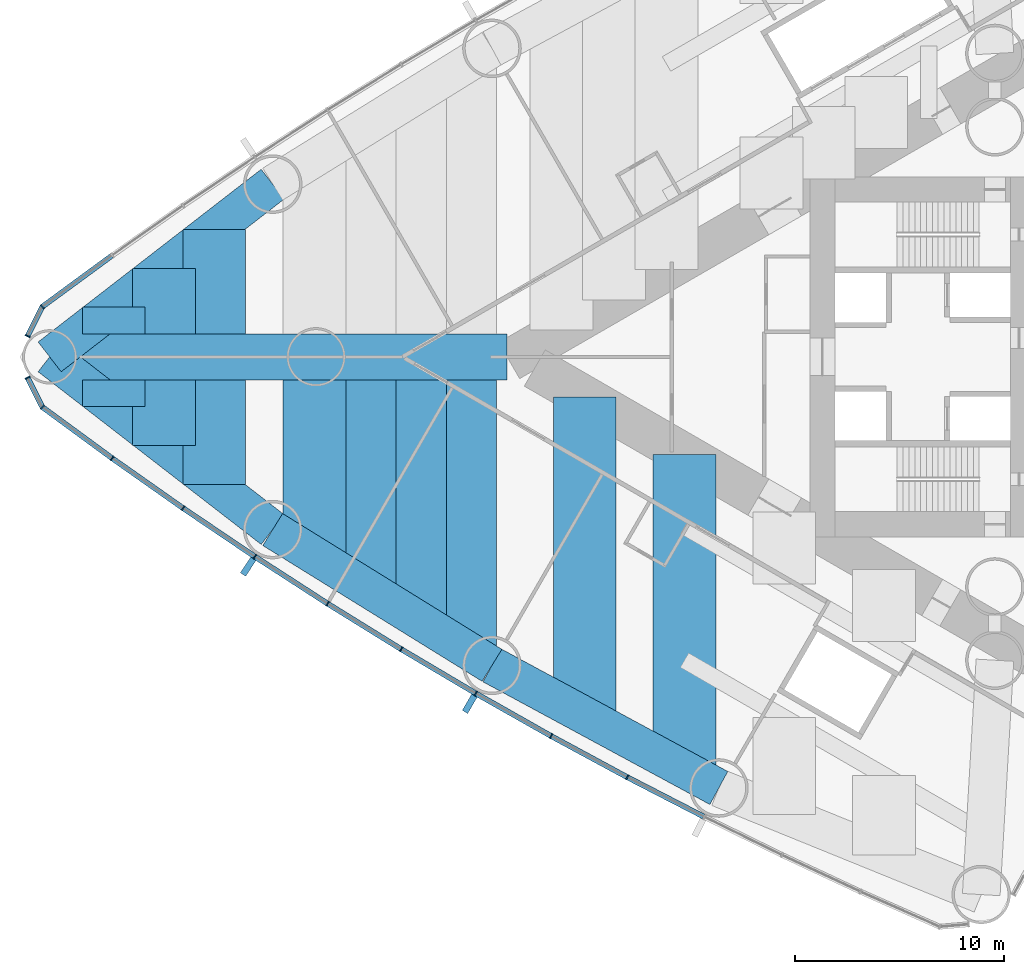
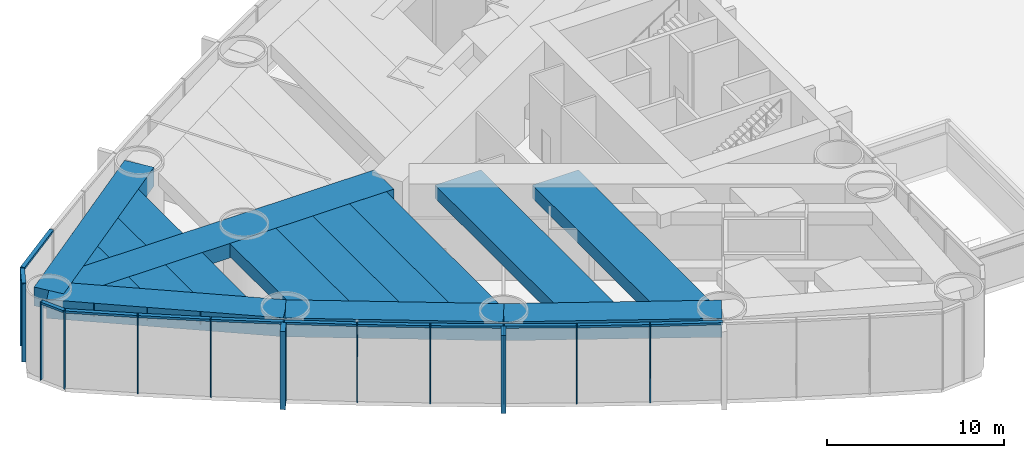
# One storey, part 6 of 23: 26 members, 17 beams, 2 elements without a shape of their own.
"""IFC4 building model written with IfcOpenShell, lengths in metres."""

from ifc_helpers import new_model, si_unit, direction, frame, origin, origin_2d, place, context, subcontext, project, spatial, rectangle, extrude, material, material_profile, profile_set, type_object, element, aggregate, save


model = new_model("IFC4")

# Units and contexts
model_context = context("Model", 3, precision=1e-05, world=origin(), true_north=direction((0.0, 1.0)))
body_context = subcontext(model_context, "Body", "Model", "MODEL_VIEW")
ifc_project = project(units=[si_unit("LENGTHUNIT", "METRE"), si_unit("AREAUNIT", "SQUARE_METRE"), si_unit("VOLUMEUNIT", "CUBIC_METRE"), si_unit("PLANEANGLEUNIT", "RADIAN"), si_unit("MASSUNIT", "GRAM", prefix="KILO")], contexts=[model_context])

# Site, building, storey
site_placement = place(None, origin())
site = spatial("IfcSite", under=ifc_project, at=site_placement, CompositionType="ELEMENT")
building_placement = place(site_placement, origin())
building = spatial("IfcBuilding", under=site, at=building_placement, Name="Lancet Gate Hotel", CompositionType="ELEMENT")
storey_placement = place(building_placement, frame((0.0, 0.0, 12.60009765625)))
storey = spatial("IfcBuildingStorey", under=building, at=storey_placement, Name="L02", CompositionType="ELEMENT", Elevation=12.60009765625)

# Curtain wall, members
ifc_material_1 = material(Name="Aluminium curtain wall", Category="aluminium")
curtain_wall_type = type_object("IfcCurtainWallType", Name="Podium curtain wall", PredefinedType="USERDEFINED", material=ifc_material_1)
curtain_wall_1_placement = place(storey_placement, origin())
curtain_wall_1 = element("IfcCurtainWall", 1, at=curtain_wall_1_placement, inside=storey, type_object=curtain_wall_type, Name="T1 L02 curtain wall 2", ObjectType="UNITISED CURTAIN WALL", PredefinedType="USERDEFINED")
ifc_material_2 = material(Name="Aluminium mullion", Category="aluminium")
ifc_material_profile_1 = material_profile(ifc_material_2, rectangle(XDim=0.06494140625, YDim=0.25, at=origin_2d()), Name="MULLION 65x250")
ifc_profile_set_1 = profile_set([ifc_material_profile_1], Name="Aluminium mullion")
member_type_1 = type_object("IfcMemberType", Name="Aluminium mullion 65x250", PredefinedType="MULLION", material=ifc_profile_set_1)
member_1_placement = place(storey_placement, frame((-74.5830078125, 2.401611328125, 0.0), z_axis=(0.0, 0.0, 1.0), x_axis=(-0.723695580132, -0.690119342793, 0.0)))
member_1 = element("IfcMember", 2, at=member_1_placement, type_object=member_type_1, Name="T1 L02 curtain wall 2 mullion 14", PredefinedType="MULLION", context=body_context, shape_type="SweptSolid", body=[
    extrude(rectangle(XDim=0.06494140625, YDim=0.25, at=origin_2d()), origin(), (0.0, 0.0, 1.0), 5.39990234375),
])
member_2_placement = place(storey_placement, frame((-75.287109375, 0.994873046875, 0.0), z_axis=(0.0, 0.0, 1.0), x_axis=(-0.447628324726, -0.89421970617, 0.0)))
member_2 = element("IfcMember", 3, at=member_2_placement, type_object=member_type_1, Name="T1 L02 curtain wall 2 mullion 15", PredefinedType="MULLION", context=body_context, shape_type="SweptSolid", body=[
    extrude(rectangle(XDim=0.06494140625, YDim=0.25, at=origin_2d()), origin(), (0.0, 0.0, 1.0), 5.39990234375),
])

curtain_wall_2_placement = place(storey_placement, origin())
curtain_wall_2 = element("IfcCurtainWall", 4, at=curtain_wall_2_placement, inside=storey, type_object=curtain_wall_type, Name="T1 L02 curtain wall 3", ObjectType="UNITISED CURTAIN WALL", PredefinedType="USERDEFINED")
member_3_placement = place(storey_placement, frame((-75.287109375, -0.994873046875, 0.0), z_axis=(0.0, 0.0, 1.0), x_axis=(0.447628324726, -0.89421970617, 0.0)))
member_3 = element("IfcMember", 5, at=member_3_placement, type_object=member_type_1, Name="T1 L02 curtain wall 3 mullion 1", PredefinedType="MULLION", context=body_context, shape_type="SweptSolid", body=[
    extrude(rectangle(XDim=0.06494140625, YDim=0.25, at=origin_2d()), origin(), (0.0, 0.0, 1.0), 5.39990234375),
])
member_4_placement = place(storey_placement, frame((-74.5830078125, -2.401611328125, 0.0), z_axis=(0.0, 0.0, 1.0), x_axis=(0.723695580132, -0.690119342793, 0.0)))
member_4 = element("IfcMember", 6, at=member_4_placement, type_object=member_type_1, Name="T1 L02 curtain wall 3 mullion 2", PredefinedType="MULLION", context=body_context, shape_type="SweptSolid", body=[
    extrude(rectangle(XDim=0.06494140625, YDim=0.25, at=origin_2d()), origin(), (0.0, 0.0, 1.0), 5.39990234375),
])
member_5_placement = place(storey_placement, frame((-71.244384765625, -4.85009765625, 0.0), z_axis=(0.0, 0.0, 1.0), x_axis=(0.812146623168, -0.583453393578, 0.0)))
member_5 = element("IfcMember", 7, at=member_5_placement, type_object=member_type_1, Name="T1 L02 curtain wall 3 mullion 3", PredefinedType="MULLION", context=body_context, shape_type="SweptSolid", body=[
    extrude(rectangle(XDim=0.06494140625, YDim=0.25, at=origin_2d()), origin(), (0.0, 0.0, 1.0), 5.39990234375),
])
member_6_placement = place(storey_placement, frame((-67.858154296875, -7.232666015625, 0.0), z_axis=(0.0, 0.0, 1.0), x_axis=(0.823425148573, -0.56742490666, 0.0)))
member_6 = element("IfcMember", 8, at=member_6_placement, type_object=member_type_1, Name="T1 L02 curtain wall 3 mullion 4", PredefinedType="MULLION", context=body_context, shape_type="SweptSolid", body=[
    extrude(rectangle(XDim=0.06494140625, YDim=0.25, at=origin_2d()), origin(), (0.0, 0.0, 1.0), 5.39990234375),
])
member_7_placement = place(storey_placement, frame((-64.42626953125, -9.548583984375, 0.0), z_axis=(0.0, 0.0, 1.0), x_axis=(0.834387381945, -0.55117846189, 0.0)))
member_7 = element("IfcMember", 9, at=member_7_placement, type_object=member_type_1, Name="T1 L02 curtain wall 3 mullion 5", PredefinedType="MULLION", context=body_context, shape_type="SweptSolid", body=[
    extrude(rectangle(XDim=0.06494140625, YDim=0.25, at=origin_2d()), origin(), (0.0, 0.0, 1.0), 5.39990234375),
])
member_8_placement = place(storey_placement, frame((-60.949462890625, -11.796630859375, 0.0), z_axis=(0.0, 0.0, 1.0), x_axis=(0.845029112489, -0.534720299827, 0.0)))
member_8 = element("IfcMember", 10, at=member_8_placement, type_object=member_type_1, Name="T1 L02 curtain wall 3 mullion 6", PredefinedType="MULLION", context=body_context, shape_type="SweptSolid", body=[
    extrude(rectangle(XDim=0.06494140625, YDim=0.25, at=origin_2d()), origin(), (0.0, 0.0, 1.0), 5.39990234375),
])
member_9_placement = place(storey_placement, frame((-57.42919921875, -13.97607421875, 0.0), z_axis=(0.0, 0.0, 1.0), x_axis=(0.855346252548, -0.518056742309, 0.0)))
member_9 = element("IfcMember", 11, at=member_9_placement, type_object=member_type_1, Name="T1 L02 curtain wall 3 mullion 7", PredefinedType="MULLION", context=body_context, shape_type="SweptSolid", body=[
    extrude(rectangle(XDim=0.06494140625, YDim=0.25, at=origin_2d()), origin(), (0.0, 0.0, 1.0), 5.39990234375),
])
member_10_placement = place(storey_placement, frame((-53.866943359375, -16.086181640625, 0.0), z_axis=(0.0, 0.0, 1.0), x_axis=(0.86533483912, -0.501194190115, 0.0)))
member_10 = element("IfcMember", 12, at=member_10_placement, type_object=member_type_1, Name="T1 L02 curtain wall 3 mullion 8", PredefinedType="MULLION", context=body_context, shape_type="SweptSolid", body=[
    extrude(rectangle(XDim=0.06494140625, YDim=0.25, at=origin_2d()), origin(), (0.0, 0.0, 1.0), 5.39990234375),
])
member_11_placement = place(storey_placement, frame((-50.26416015625, -18.1259765625, 0.0), z_axis=(0.0, 0.0, 1.0), x_axis=(0.874991035403, -0.484139120464, 0.0)))
member_11 = element("IfcMember", 13, at=member_11_placement, type_object=member_type_1, Name="T1 L02 curtain wall 3 mullion 9", PredefinedType="MULLION", context=body_context, shape_type="SweptSolid", body=[
    extrude(rectangle(XDim=0.06494140625, YDim=0.25, at=origin_2d()), origin(), (0.0, 0.0, 1.0), 5.39990234375),
])
member_12_placement = place(storey_placement, frame((-46.6220703125, -20.094970703125, 0.0), z_axis=(0.0, 0.0, 1.0), x_axis=(0.884311132302, -0.466898084475, 0.0)))
member_12 = element("IfcMember", 14, at=member_12_placement, type_object=member_type_1, Name="T1 L02 curtain wall 3 mullion 10", PredefinedType="MULLION", context=body_context, shape_type="SweptSolid", body=[
    extrude(rectangle(XDim=0.06494140625, YDim=0.25, at=origin_2d()), origin(), (0.0, 0.0, 1.0), 5.39990234375),
])

# Member
ifc_material_3 = material(Name="Aluminium transom", Category="aluminium")
ifc_material_profile_2 = material_profile(ifc_material_3, rectangle(XDim=0.25, YDim=0.14990234375, at=origin_2d()), Name="TRANSOM 250x150")
ifc_profile_set_2 = profile_set([ifc_material_profile_2], Name="Aluminium transom")
member_type_2 = type_object("IfcMemberType", Name="Aluminium transom 250x150", PredefinedType="USERDEFINED", material=ifc_profile_set_2)
member_13_placement = place(storey_placement, frame((-71.2705078125, 4.8310546875, 5.324951171875), z_axis=(-0.806366902144, -0.59141560609, 0.0), x_axis=(0.59141560609, -0.806366902144, 0.0)))
member_13 = element("IfcMember", 15, at=member_13_placement, type_object=member_type_2, Name="T1 L02 curtain wall 2 transom 13", ObjectType="TRANSOM", PredefinedType="USERDEFINED", context=body_context, shape_type="SweptSolid", body=[
    extrude(rectangle(XDim=0.25, YDim=0.14990234375, at=origin_2d()), origin(), (0.0, 0.0, 1.0), 4.0751953125),
])

member_14_placement = place(storey_placement, frame((-74.597412109375, 2.37255859375, 5.324951171875), z_axis=(-0.447731503446, -0.894168049542, 0.0), x_axis=(0.894168049542, -0.447731503446, 0.0)))
member_14 = element("IfcMember", 16, at=member_14_placement, type_object=member_type_2, Name="T1 L02 curtain wall 2 transom 14", ObjectType="TRANSOM", PredefinedType="USERDEFINED", context=body_context, shape_type="SweptSolid", body=[
    extrude(rectangle(XDim=0.25, YDim=0.14990234375, at=origin_2d()), origin(), (0.0, 0.0, 1.0), 1.50830078125),
])

aggregate(curtain_wall_1, [member_1, member_2, member_13, member_14])

member_15_placement = place(storey_placement, frame((-75.272705078125, -1.02392578125, 5.324951171875), z_axis=(0.447731503446, -0.894168049542, 0.0), x_axis=(0.894168049542, 0.447731503446, 0.0)))
member_15 = element("IfcMember", 17, at=member_15_placement, type_object=member_type_2, Name="T1 L02 curtain wall 3 transom 1", ObjectType="TRANSOM", PredefinedType="USERDEFINED", context=body_context, shape_type="SweptSolid", body=[
    extrude(rectangle(XDim=0.25, YDim=0.14990234375, at=origin_2d()), origin(), (0.0, 0.0, 1.0), 1.50830078125),
])

member_16_placement = place(storey_placement, frame((-74.556640625, -2.4208984375, 5.324951171875), z_axis=(0.806366902144, -0.59141560609, 0.0), x_axis=(0.59141560609, 0.806366902144, 0.0)))
member_16 = element("IfcMember", 18, at=member_16_placement, type_object=member_type_2, Name="T1 L02 curtain wall 3 transom 2", ObjectType="TRANSOM", PredefinedType="USERDEFINED", context=body_context, shape_type="SweptSolid", body=[
    extrude(rectangle(XDim=0.25, YDim=0.14990234375, at=origin_2d()), origin(), (0.0, 0.0, 1.0), 4.0751953125),
])

member_17_placement = place(storey_placement, frame((-71.2177734375, -4.868896484375, 5.324951171875), z_axis=(0.817833568345, -0.57545482402, 0.0), x_axis=(0.57545482402, 0.817833568345, 0.0)))
member_17 = element("IfcMember", 19, at=member_17_placement, type_object=member_type_2, Name="T1 L02 curtain wall 3 transom 3", ObjectType="TRANSOM", PredefinedType="USERDEFINED", context=body_context, shape_type="SweptSolid", body=[
    extrude(rectangle(XDim=0.25, YDim=0.14990234375, at=origin_2d()), origin(), (0.0, 0.0, 1.0), 4.075439453125),
])

member_18_placement = place(storey_placement, frame((-67.831298828125, -7.2509765625, 5.324951171875), z_axis=(0.828959086782, -0.559309245804, 0.0), x_axis=(0.559309245804, 0.828959086782, 0.0)))
member_18 = element("IfcMember", 20, at=member_18_placement, type_object=member_type_2, Name="T1 L02 curtain wall 3 transom 4", ObjectType="TRANSOM", PredefinedType="USERDEFINED", context=body_context, shape_type="SweptSolid", body=[
    extrude(rectangle(XDim=0.25, YDim=0.14990234375, at=origin_2d()), origin(), (0.0, 0.0, 1.0), 4.0751953125),
])

member_19_placement = place(storey_placement, frame((-64.39892578125, -9.566162109375, 5.324951171875), z_axis=(0.839729242404, -0.543005340169, 0.0), x_axis=(0.543005340169, 0.839729242404, 0.0)))
member_19 = element("IfcMember", 21, at=member_19_placement, type_object=member_type_2, Name="T1 L02 curtain wall 3 transom 5", ObjectType="TRANSOM", PredefinedType="USERDEFINED", context=body_context, shape_type="SweptSolid", body=[
    extrude(rectangle(XDim=0.25, YDim=0.14990234375, at=origin_2d()), origin(), (0.0, 0.0, 1.0), 4.0751953125),
])

member_20_placement = place(storey_placement, frame((-60.921875, -11.813720703125, 5.324951171875), z_axis=(0.850242165643, -0.526391736032, 0.0), x_axis=(0.526391736032, 0.850242165643, 0.0)))
member_20 = element("IfcMember", 22, at=member_20_placement, type_object=member_type_2, Name="T1 L02 curtain wall 3 transom 6", ObjectType="TRANSOM", PredefinedType="USERDEFINED", context=body_context, shape_type="SweptSolid", body=[
    extrude(rectangle(XDim=0.25, YDim=0.14990234375, at=origin_2d()), origin(), (0.0, 0.0, 1.0), 4.075439453125),
])

member_21_placement = place(storey_placement, frame((-57.4013671875, -13.99267578125, 5.324951171875), z_axis=(0.86039174806, -0.509633240547, 0.0), x_axis=(0.509633240547, 0.86039174806, 0.0)))
member_21 = element("IfcMember", 23, at=member_21_placement, type_object=member_type_2, Name="T1 L02 curtain wall 3 transom 7", ObjectType="TRANSOM", PredefinedType="USERDEFINED", context=body_context, shape_type="SweptSolid", body=[
    extrude(rectangle(XDim=0.25, YDim=0.14990234375, at=origin_2d()), origin(), (0.0, 0.0, 1.0), 4.0751953125),
])

member_22_placement = place(storey_placement, frame((-53.838623046875, -16.102294921875, 5.324951171875), z_axis=(0.870197729943, -0.492702659625, 0.0), x_axis=(0.492702659625, 0.870197729943, 0.0)))
member_22 = element("IfcMember", 24, at=member_22_placement, type_object=member_type_2, Name="T1 L02 curtain wall 3 transom 8", ObjectType="TRANSOM", PredefinedType="USERDEFINED", context=body_context, shape_type="SweptSolid", body=[
    extrude(rectangle(XDim=0.25, YDim=0.14990234375, at=origin_2d()), origin(), (0.0, 0.0, 1.0), 4.0751953125),
])

member_23_placement = place(storey_placement, frame((-50.235595703125, -18.1416015625, 5.324951171875), z_axis=(0.87971396408, -0.475503250675, 0.0), x_axis=(0.475503250675, 0.87971396408, 0.0)))
member_23 = element("IfcMember", 25, at=member_23_placement, type_object=member_type_2, Name="T1 L02 curtain wall 3 transom 9", ObjectType="TRANSOM", PredefinedType="USERDEFINED", context=body_context, shape_type="SweptSolid", body=[
    extrude(rectangle(XDim=0.25, YDim=0.14990234375, at=origin_2d()), origin(), (0.0, 0.0, 1.0), 4.0751953125),
])

member_24_placement = place(storey_placement, frame((-46.593017578125, -20.10986328125, 5.324951171875), z_axis=(0.888859972399, -0.458178949175, 0.0), x_axis=(0.458178949175, 0.888859972399, 0.0)))
member_24 = element("IfcMember", 26, at=member_24_placement, type_object=member_type_2, Name="T1 L02 curtain wall 3 transom 10", ObjectType="TRANSOM", PredefinedType="USERDEFINED", context=body_context, shape_type="SweptSolid", body=[
    extrude(rectangle(XDim=0.25, YDim=0.14990234375, at=origin_2d()), origin(), (0.0, 0.0, 1.0), 4.0751953125),
])

# Beams
ifc_material_4 = material(Name="Concrete C50/60", Category="concrete")
ifc_material_profile_3 = material_profile(ifc_material_4, rectangle(XDim=1.800048828125, YDim=1.300048828125, at=origin_2d()), Name="RC 1800x1300")
ifc_profile_set_3 = profile_set([ifc_material_profile_3], Name="Concrete C50/60")
beam_type_1 = type_object("IfcBeamType", Name="Edge beam RC 1800x1300", PredefinedType="SPANDREL", material=ifc_profile_set_3)
for number, where, z_axis, x_axis, name in (
    (27, (-63.57177734375, 8.255126953125, 4.5), (-0.790736428665, -0.612156761281, 0.0), (0.612156761281, -0.790736428665, 0.0), "T1 edge beam EB1 L02"),
    (28, (-74.235107421875, 0.0, 4.5), (0.790736428665, -0.612156761281, 0.0), (0.612156761281, 0.790736428665, 0.0), "T1 edge beam EB1 L02"),
):
    element("IfcBeam", number, at=place(storey_placement, frame(where, z_axis=z_axis, x_axis=x_axis)), inside=storey, type_object=beam_type_1, Name=name, PredefinedType="SPANDREL", context=body_context, shape_type="SweptSolid", body=[
        extrude(rectangle(XDim=1.800048828125, YDim=1.300048828125, at=origin_2d()), origin(), (0.0, 0.0, 1.0), 13.4853515625),
    ])
for number, where, z_axis, x_axis, name in (
    (29, (-63.57177734375, -8.255126953125, 4.5), (0.850225894333, -0.526418016984, 0.0), (0.526418016984, 0.850225894333, 0.0), "T1 edge beam EB1 L02"),
    (30, (-53.090087890625, -14.744873046875, 4.5), (0.879692855603, -0.475542300749, 0.0), (0.475542300749, 0.879692855603, 0.0), "T1 edge beam EB1 L02"),
):
    element("IfcBeam", number, at=place(storey_placement, frame(where, z_axis=z_axis, x_axis=x_axis)), inside=storey, type_object=beam_type_1, Name=name, PredefinedType="SPANDREL", context=body_context, shape_type="SweptSolid", body=[
        extrude(rectangle(XDim=1.800048828125, YDim=1.300048828125, at=origin_2d()), origin(), (0.0, 0.0, 1.0), 12.328125),
    ])

# Member
ifc_material_5 = material(Name="Precast concrete C50/60", Category="concrete")
ifc_material_profile_4 = material_profile(ifc_material_5, rectangle(XDim=0.300048828125, YDim=0.89990234375, at=origin_2d()), Name="FIN 300x900")
ifc_profile_set_4 = profile_set([ifc_material_profile_4], Name="Precast concrete C50/60")
member_type_3 = type_object("IfcMemberType", Name="Exposed concrete fin 300x900", PredefinedType="USERDEFINED", material=ifc_profile_set_4)
member_25_placement = place(storey_placement, frame((-64.7431640625, -10.0283203125, 0.0), z_axis=(0.0, 0.0, 1.0), x_axis=(0.834387381945, -0.55117846189, 0.0)))
member_25 = element("IfcMember", 31, at=member_25_placement, type_object=member_type_3, Name="T1 L02 curtain wall 3 fin 5", ObjectType="FIN", PredefinedType="USERDEFINED", context=body_context, shape_type="SweptSolid", body=[
    extrude(rectangle(XDim=0.300048828125, YDim=0.89990234375, at=origin_2d()), origin(), (0.0, 0.0, 1.0), 5.39990234375),
])

member_26_placement = place(storey_placement, frame((-54.1552734375, -16.583740234375, 0.0), z_axis=(0.0, 0.0, 1.0), x_axis=(0.86533483912, -0.501194190115, 0.0)))
member_26 = element("IfcMember", 32, at=member_26_placement, type_object=member_type_3, Name="T1 L02 curtain wall 3 fin 8", ObjectType="FIN", PredefinedType="USERDEFINED", context=body_context, shape_type="SweptSolid", body=[
    extrude(rectangle(XDim=0.300048828125, YDim=0.89990234375, at=origin_2d()), origin(), (0.0, 0.0, 1.0), 5.39990234375),
])

aggregate(curtain_wall_2, [member_3, member_4, member_5, member_6, member_7, member_25, member_8, member_9, member_10, member_26, member_11, member_12, member_15, member_16, member_17, member_18, member_19, member_20, member_21, member_22, member_23, member_24])

# Beams
ifc_material_6 = material(Name="Concrete C50/60", Category="concrete")
ifc_material_profile_5 = material_profile(ifc_material_6, rectangle(XDim=3.0, YDim=0.89990234375, at=origin_2d()), Name="RC 3000x900")
ifc_profile_set_5 = profile_set([ifc_material_profile_5], Name="Concrete C50/60")
beam_type_2 = type_object("IfcBeamType", Name="Floor beam RC 3000x900", PredefinedType="BEAM", material=ifc_profile_set_5)
beam_1_placement = place(storey_placement, frame((-43.891357421875, -4.663330078125, 4.699951171875), z_axis=(0.0, -1.0, 0.0), x_axis=(1.0, 0.0, 0.0)))
element("IfcBeam", 33, at=beam_1_placement, inside=storey, type_object=beam_type_2, Name="T1 floor beam F08N L02", PredefinedType="BEAM", context=body_context, shape_type="SweptSolid", body=[
    extrude(rectangle(XDim=3.0, YDim=0.89990234375, at=origin_2d()), origin(), (0.0, 0.0, 1.0), 15.05419921875),
])
beam_2_placement = place(storey_placement, frame((-48.66015625, -1.909912109375, 4.699951171875), z_axis=(0.0, -1.0, 0.0), x_axis=(1.0, 0.0, 0.0)))
element("IfcBeam", 34, at=beam_2_placement, inside=storey, type_object=beam_type_2, Name="T1 floor beam F11N L02", PredefinedType="BEAM", context=body_context, shape_type="SweptSolid", body=[
    extrude(rectangle(XDim=3.0, YDim=0.89990234375, at=origin_2d()), origin(), (0.0, 0.0, 1.0), 15.229736328125),
])
beam_3_placement = place(storey_placement, frame((-54.3681640625, -1.10009765625, 4.699951171875), z_axis=(0.0, -1.0, 0.0), x_axis=(1.0, 0.0, 0.0)))
element("IfcBeam", 35, at=beam_3_placement, inside=storey, type_object=beam_type_2, Name="T1 floor beam F14N L02", PredefinedType="BEAM", context=body_context, shape_type="SweptSolid", body=[
    extrude(rectangle(XDim=3.0, YDim=0.89990234375, at=origin_2d()), origin(), (0.0, 0.0, 1.0), 12.853515625),
])
beam_4_placement = place(storey_placement, frame((-56.768310546875, -1.10009765625, 4.699951171875), z_axis=(0.0, -1.0, 0.0), x_axis=(1.0, 0.0, 0.0)))
element("IfcBeam", 36, at=beam_4_placement, inside=storey, type_object=beam_type_2, Name="T1 floor beam F16N L02", PredefinedType="BEAM", context=body_context, shape_type="SweptSolid", body=[
    extrude(rectangle(XDim=3.0, YDim=0.89990234375, at=origin_2d()), origin(), (0.0, 0.0, 1.0), 11.367431640625),
])
beam_5_placement = place(storey_placement, frame((-59.168212890625, -1.10009765625, 4.699951171875), z_axis=(0.0, -1.0, 0.0), x_axis=(1.0, 0.0, 0.0)))
element("IfcBeam", 37, at=beam_5_placement, inside=storey, type_object=beam_type_2, Name="T1 floor beam F18N L02", PredefinedType="BEAM", context=body_context, shape_type="SweptSolid", body=[
    extrude(rectangle(XDim=3.0, YDim=0.89990234375, at=origin_2d()), origin(), (0.0, 0.0, 1.0), 9.881591796875),
])
beam_6_placement = place(storey_placement, frame((-61.568359375, -1.10009765625, 4.699951171875), z_axis=(0.0, -1.0, 0.0), x_axis=(1.0, 0.0, 0.0)))
element("IfcBeam", 38, at=beam_6_placement, inside=storey, type_object=beam_type_2, Name="T1 floor beam F20N L02", PredefinedType="BEAM", context=body_context, shape_type="SweptSolid", body=[
    extrude(rectangle(XDim=3.0, YDim=0.89990234375, at=origin_2d()), origin(), (0.0, 0.0, 1.0), 8.395751953125),
])
for number, where, z_axis, x_axis, name in (
    (39, (-66.3681640625, 6.09033203125, 4.699951171875), (0.0, -1.0, 0.0), (1.0, 0.0, 0.0), "T1 floor beam F21S L02"),
    (40, (-66.3681640625, -1.10009765625, 4.699951171875), (0.0, -1.0, 0.0), (1.0, 0.0, 0.0), "T1 floor beam F22N L02"),
):
    element("IfcBeam", number, at=place(storey_placement, frame(where, z_axis=z_axis, x_axis=x_axis)), inside=storey, type_object=beam_type_2, Name=name, PredefinedType="BEAM", context=body_context, shape_type="SweptSolid", body=[
        extrude(rectangle(XDim=3.0, YDim=0.89990234375, at=origin_2d()), origin(), (0.0, 0.0, 1.0), 4.990234375),
    ])
for number, where, z_axis, x_axis, name in (
    (41, (-68.768310546875, 4.232421875, 4.699951171875), (0.0, -1.0, 0.0), (1.0, 0.0, 0.0), "T1 floor beam F23S L02"),
    (42, (-68.768310546875, -1.10009765625, 4.699951171875), (0.0, -1.0, 0.0), (1.0, 0.0, 0.0), "T1 floor beam F24N L02"),
):
    element("IfcBeam", number, at=place(storey_placement, frame(where, z_axis=z_axis, x_axis=x_axis)), inside=storey, type_object=beam_type_2, Name=name, PredefinedType="BEAM", context=body_context, shape_type="SweptSolid", body=[
        extrude(rectangle(XDim=3.0, YDim=0.89990234375, at=origin_2d()), origin(), (0.0, 0.0, 1.0), 3.13232421875),
    ])
for number, where, z_axis, x_axis, name in (
    (43, (-71.168212890625, 2.374267578125, 4.699951171875), (0.0, -1.0, 0.0), (1.0, 0.0, 0.0), "T1 floor beam F25S L02"),
    (44, (-71.168212890625, -1.10009765625, 4.699951171875), (0.0, -1.0, 0.0), (1.0, 0.0, 0.0), "T1 floor beam F26N L02"),
):
    element("IfcBeam", number, at=place(storey_placement, frame(where, z_axis=z_axis, x_axis=x_axis)), inside=storey, type_object=beam_type_2, Name=name, PredefinedType="BEAM", context=body_context, shape_type="SweptSolid", body=[
        extrude(rectangle(XDim=3.0, YDim=0.89990234375, at=origin_2d()), origin(), (0.0, 0.0, 1.0), 1.274169921875),
    ])
ifc_material_7 = material(Name="Concrete C50/60", Category="concrete")
ifc_material_profile_6 = material_profile(ifc_material_7, rectangle(XDim=2.199951171875, YDim=1.0, at=origin_2d()), Name="RC 2200x1000")
ifc_profile_set_6 = profile_set([ifc_material_profile_6], Name="Concrete C50/60")
beam_type_3 = type_object("IfcBeamType", Name="Radial floor beam RC 2200x1000", PredefinedType="BEAM", material=ifc_profile_set_6)
beam_7_placement = place(storey_placement, frame((-74.235107421875, 0.0, 4.64990234375), z_axis=(1.0, 0.0, 0.0), x_axis=(0.0, 1.0, 0.0)))
element("IfcBeam", 45, at=beam_7_placement, inside=storey, type_object=beam_type_3, Name="T1 radial beam CA L02", PredefinedType="BEAM", context=body_context, shape_type="SweptSolid", body=[
    extrude(rectangle(XDim=2.199951171875, YDim=1.0, at=origin_2d()), origin(), (0.0, 0.0, 1.0), 21.866943359375),
])

save(model, "model.ifc")
